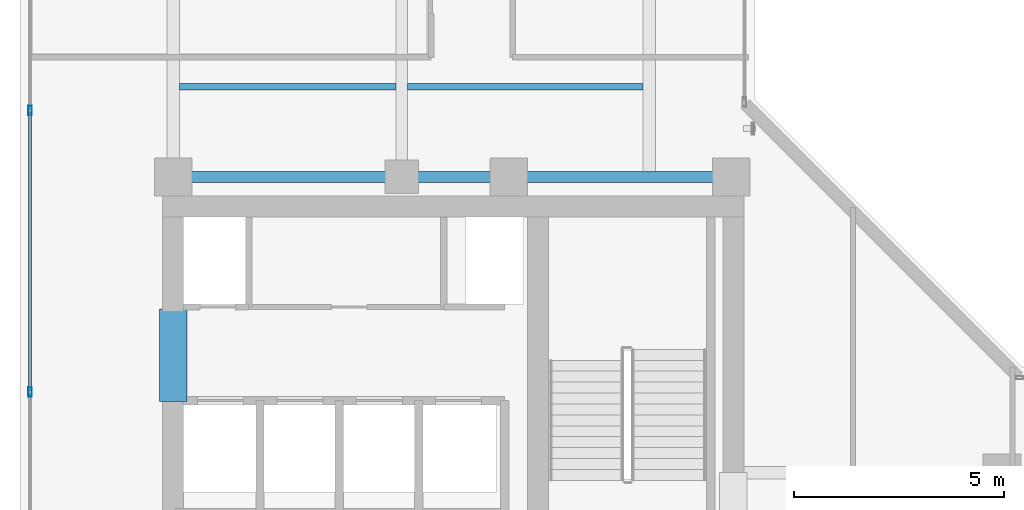
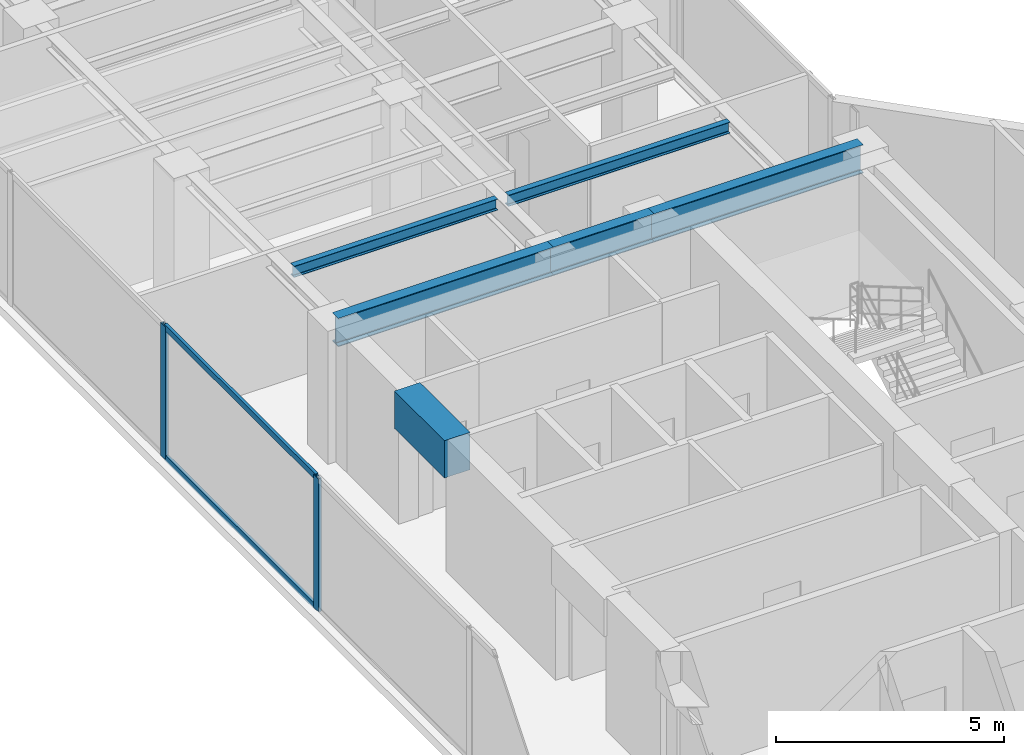
# One storey, part 7 of 23: 6 beams, 4 members, 1 element without a shape of its own.
"""IFC4 building model written with IfcOpenShell, lengths in metres."""

import ifcopenshell
import ifcopenshell.guid

model = None  # the IFC model being written
_history = None  # IfcOwnerHistory: only IFC2X3 demands one
_inside = {}  # id of a spatial element -> (the spatial element, [elements in it])
_under = {}  # id of a project, library or spatial element -> (it, [spatial elements below it])
_declared = {}  # id of a project -> (the project, [libraries it declares])
_typed = {}  # id of a type object -> (the type object, [elements of that type])
_made_of = {}  # id of a material, layer set ... -> (it, [elements and type objects made of it])


def new_model(schema):
    """Start an empty IFC model of exactly this schema.

    Asked for "IFC4X3", IfcOpenShell would pick the latest addendum, in which some entities
    have other attributes; the version numbers below select the first issue.
    IFC2X3 requires an IfcOwnerHistory on every rooted entity: one is made here for all.
    """
    global model, _history
    if schema == "IFC4X3":
        model = ifcopenshell.file(schema_version=(4, 3, 0, 0))
    else:
        model = ifcopenshell.file(schema=schema)
    _inside.clear()
    _under.clear()
    _declared.clear()
    _typed.clear()
    _made_of.clear()
    _history = None
    if model.schema == "IFC2X3":
        org = make("IfcOrganization", Name="unknown")
        user = make(
            "IfcPersonAndOrganization",
            ThePerson=make("IfcPerson", FamilyName="unknown"),
            TheOrganization=org,
        )
        app = make(
            "IfcApplication",
            ApplicationDeveloper=org,
            Version="unknown",
            ApplicationFullName="unknown",
            ApplicationIdentifier="unknown",
        )
        _history = make(
            "IfcOwnerHistory",
            OwningUser=user,
            OwningApplication=app,
            ChangeAction="ADDED",
            CreationDate=0,
        )
    return model


def make(cls, **values):
    """One entity of the class cls with the attributes given. An attribute that is None is left unset."""
    return model.create_entity(
        cls, **{name: value for name, value in values.items() if value is not None}
    )


def rooted(cls, **values):
    """An entity with a GlobalId (a new one), such as an element, a storey or a relation."""
    return make(cls, GlobalId=ifcopenshell.guid.new(), OwnerHistory=_history, **values)


def si_unit(unit_type, name, prefix=None):
    """IfcSIUnit, for example si_unit("LENGTHUNIT", "METRE", prefix="MILLI")."""
    return make("IfcSIUnit", UnitType=unit_type, Prefix=prefix, Name=name)


def assignment(units):
    """IfcUnitAssignment: the units of a project."""
    return None if units is None else make("IfcUnitAssignment", Units=units)


def point(xyz):
    """IfcCartesianPoint."""
    return None if xyz is None else make("IfcCartesianPoint", Coordinates=xyz)


def direction(xyz):
    """IfcDirection."""
    return None if xyz is None else make("IfcDirection", DirectionRatios=xyz)


def frame(location, z_axis=None, x_axis=None):
    """IfcAxis2Placement3D, a coordinate frame: its origin and axes. An axis left out is left unset."""
    return make(
        "IfcAxis2Placement3D",
        Location=point(location),
        Axis=direction(z_axis),
        RefDirection=direction(x_axis),
    )


def frame_2d(location, x_axis=None):
    """IfcAxis2Placement2D, a coordinate frame in the plane: its origin and x axis."""
    return make(
        "IfcAxis2Placement2D", Location=point(location), RefDirection=direction(x_axis)
    )


def origin():
    """The frame at (0, 0, 0) with its axes left unset."""
    return frame((0.0, 0.0, 0.0))


def origin_with_axes():
    """The frame at (0, 0, 0) with the z axis (0, 0, 1) and the x axis (1, 0, 0) written out."""
    return frame((0.0, 0.0, 0.0), z_axis=(0.0, 0.0, 1.0), x_axis=(1.0, 0.0, 0.0))


def origin_2d():
    """The frame at (0, 0) in the plane with its x axis left unset."""
    return frame_2d((0.0, 0.0))


def place(relative_to, where):
    """IfcLocalPlacement: puts the frame where relative to a parent placement (None: the world)."""
    return make(
        "IfcLocalPlacement", PlacementRelTo=relative_to, RelativePlacement=where
    )


def context(
    kind, dimensions, precision=None, world=None, true_north=None, identifier=None
):
    """IfcGeometricRepresentationContext, for example the 3D "Model" context."""
    return make(
        "IfcGeometricRepresentationContext",
        ContextIdentifier=identifier,
        ContextType=kind,
        CoordinateSpaceDimension=dimensions,
        Precision=precision,
        WorldCoordinateSystem=world,
        TrueNorth=true_north,
    )


def subcontext(parent, identifier, kind, view, scale=None):
    """IfcGeometricRepresentationSubContext, for example "Body" below "Model"."""
    return make(
        "IfcGeometricRepresentationSubContext",
        ContextIdentifier=identifier,
        ContextType=kind,
        ParentContext=parent,
        TargetScale=scale,
        TargetView=view,
    )


def project(units=None, contexts=None):
    """IfcProject with its units and contexts."""
    return rooted(
        "IfcProject",
        Name="project",
        RepresentationContexts=contexts,
        UnitsInContext=assignment(units),
    )


def spatial(cls, under=None, at=None, **own):
    """A site, building, storey or space (cls), placed at a placement, below another one or the project."""
    s = rooted(cls, ObjectPlacement=at, **own)
    if under is not None:
        _under.setdefault(under.id(), (under, []))[1].append(s)
    return s


def profile(cls, at=None, kind="AREA", **sizes):
    """A parametric profile (cls). Its sizes go by their IFC names, for example OverallWidth=200.0."""
    return make(cls, ProfileType=kind, Position=at, **sizes)


def rectangle(**sizes):
    """IfcRectangleProfileDef."""
    return profile("IfcRectangleProfileDef", **sizes)


def hollow_rectangle(**sizes):
    """IfcRectangleHollowProfileDef."""
    return profile("IfcRectangleHollowProfileDef", **sizes)


def i_section(**sizes):
    """IfcIShapeProfileDef."""
    return profile("IfcIShapeProfileDef", **sizes)


def extrude(swept, where, along, depth):
    """IfcExtrudedAreaSolid: the profile swept, set in the frame where, extruded along a direction by depth."""
    return make(
        "IfcExtrudedAreaSolid",
        SweptArea=swept,
        Position=where,
        ExtrudedDirection=direction(along),
        Depth=depth,
    )


def shape(context_of_items, identifier, shape_type, items):
    """IfcShapeRepresentation: the items that make up one representation, for example the "Body"."""
    return make(
        "IfcShapeRepresentation",
        ContextOfItems=context_of_items,
        RepresentationIdentifier=identifier,
        RepresentationType=shape_type,
        Items=items,
    )


def source(mapping_origin, context_of_items, identifier, shape_type, items):
    """IfcRepresentationMap: a shape defined once, which mapped items show again and again."""
    return make(
        "IfcRepresentationMap",
        MappingOrigin=mapping_origin,
        MappedRepresentation=shape(context_of_items, identifier, shape_type, items),
    )


def transform(
    local_origin,
    x_axis=None,
    y_axis=None,
    z_axis=None,
    scale=None,
    scale2=None,
    scale3=None,
    uniform=True,
):
    """IfcCartesianTransformationOperator3D, or its non-uniform kind. x_axis, y_axis, z_axis: its Axis1, 2, 3."""
    if uniform:
        return make(
            "IfcCartesianTransformationOperator3D",
            Axis1=direction(x_axis),
            Axis2=direction(y_axis),
            LocalOrigin=point(local_origin),
            Scale=scale,
            Axis3=direction(z_axis),
        )
    return make(
        "IfcCartesianTransformationOperator3DnonUniform",
        Axis1=direction(x_axis),
        Axis2=direction(y_axis),
        LocalOrigin=point(local_origin),
        Scale=scale,
        Axis3=direction(z_axis),
        Scale2=scale2,
        Scale3=scale3,
    )


def mapped(mapping_source, mapping_target):
    """IfcMappedItem: shows the shape of a source again, moved by a transform."""
    return make(
        "IfcMappedItem", MappingSource=mapping_source, MappingTarget=mapping_target
    )


def material(Name=None, Category=None):
    """IfcMaterial."""
    return make("IfcMaterial", Name=Name, Category=Category)


def layer(
    of_material, thickness, ventilated=None, Name=None, Category=None, Priority=None
):
    """IfcMaterialLayer: one layer of a wall or slab, of a material (None: an air gap)."""
    return make(
        "IfcMaterialLayer",
        Material=of_material,
        LayerThickness=thickness,
        IsVentilated=ventilated,
        Name=Name,
        Category=Category,
        Priority=Priority,
    )


def layer_set(layers, Name=None):
    """IfcMaterialLayerSet."""
    return make("IfcMaterialLayerSet", MaterialLayers=layers, LayerSetName=Name)


def material_profile(
    of_material, cross_section, Name=None, Category=None, Priority=None
):
    """IfcMaterialProfile: a cross section and its material."""
    return make(
        "IfcMaterialProfile",
        Name=Name,
        Material=of_material,
        Profile=cross_section,
        Priority=Priority,
        Category=Category,
    )


def profile_set(profiles, Name=None, composite=None):
    """IfcMaterialProfileSet."""
    return make(
        "IfcMaterialProfileSet",
        Name=Name,
        MaterialProfiles=profiles,
        CompositeProfile=composite,
    )


def made_of(thing, what):
    """Note that an element or type object is made of a material, layer set ...; save() writes the relation."""
    if what is not None:
        _made_of.setdefault(what.id(), (what, []))[1].append(thing)
    return thing


def type_object(cls, material=None, **own):
    """A type object (cls), such as IfcWallType, which elements share."""
    return made_of(rooted(cls, **own), material)


def element(
    cls,
    number,
    at=None,
    inside=None,
    cuts=None,
    type_object=None,
    material=None,
    context=None,
    identifier="Body",
    shape_type=None,
    held_by="IfcProductDefinitionShape",
    body=None,
    shapes=None,
    **own,
):
    """One element of the class cls, such as IfcWall. Its Tag is "e" and its number.

    at: its placement. inside: the storey or other place that contains it. cuts: it is an
    opening in that element (IfcRelVoidsElement). A single representation is given by context,
    identifier, shape_type and body (its items); several are given by shapes. held_by: the class
    of the entity that holds the representations. save() writes the other relations.
    """
    e = rooted(cls, Tag="e%d" % number, ObjectPlacement=at, **own)
    if body is not None:
        shapes = [shape(context, identifier, shape_type, body)]
    if shapes is not None:
        e.Representation = make(held_by, Representations=shapes)
    if inside is not None:
        _inside.setdefault(inside.id(), (inside, []))[1].append(e)
    if cuts is not None:
        rooted(
            "IfcRelVoidsElement", RelatingBuildingElement=cuts, RelatedOpeningElement=e
        )
    if type_object is not None:
        _typed.setdefault(type_object.id(), (type_object, []))[1].append(e)
    return made_of(e, material)


def aggregate(whole, parts):
    """IfcRelAggregates: a whole, such as a stair, and the parts it consists of."""
    return rooted("IfcRelAggregates", RelatingObject=whole, RelatedObjects=parts)


def save(model, path):
    """Write the relations noted so far, then the file.

    IfcRelAggregates (storeys below a building ...), IfcRelContainedInSpatialStructure (elements
    in a storey), IfcRelDefinesByType, IfcRelAssociatesMaterial and IfcRelDeclares: one each for
    every whole, place, type object, material and project.
    """
    for whole, parts in _under.values():
        aggregate(whole, parts)
    for where, things in _inside.values():
        rooted(
            "IfcRelContainedInSpatialStructure",
            RelatedElements=things,
            RelatingStructure=where,
        )
    for kind, things in _typed.values():
        rooted("IfcRelDefinesByType", RelatedObjects=things, RelatingType=kind)
    for what, things in _made_of.values():
        rooted("IfcRelAssociatesMaterial", RelatedObjects=things, RelatingMaterial=what)
    for by, libraries in _declared.values():
        rooted("IfcRelDeclares", RelatingContext=by, RelatedDefinitions=libraries)
    model.write(path)


model = new_model("IFC4")

# Units and contexts
model_context = context("Model", 3, precision=1e-05, world=origin(), true_north=direction((0.0, 1.0)))
body_context = subcontext(model_context, "Body", "Model", "MODEL_VIEW")
ifc_project = project(units=[si_unit("LENGTHUNIT", "METRE"), si_unit("AREAUNIT", "SQUARE_METRE"), si_unit("VOLUMEUNIT", "CUBIC_METRE"), si_unit("PLANEANGLEUNIT", "RADIAN"), si_unit("MASSUNIT", "GRAM", prefix="KILO")], contexts=[model_context])

# Site, building, storey
site_placement = place(None, origin())
site = spatial("IfcSite", under=ifc_project, at=site_placement, CompositionType="ELEMENT")
building_placement = place(site_placement, origin())
building = spatial("IfcBuilding", under=site, at=building_placement, Name="Kolvaren Waterfront Exchange", CompositionType="ELEMENT")
storey_placement = place(building_placement, frame((0.0, 0.0, 297.0)))
storey = spatial("IfcBuildingStorey", under=building, at=storey_placement, Name="L76", CompositionType="ELEMENT", Elevation=297.0)

# Beams
ifc_material_1 = material(Name="Steel S355", Category="steel")
ifc_material_profile_1 = material_profile(ifc_material_1, i_section(OverallWidth=0.14990234375, OverallDepth=0.300048828125, WebThickness=0.007080078125, FlangeThickness=0.0107421875, FilletRadius=0.014892578125, at=origin_2d()), Name="IPE300")
ifc_profile_set_1 = profile_set([ifc_material_profile_1], Name="Steel S355")
beam_type_1 = type_object("IfcBeamType", Name="STR-BM-IPE300", PredefinedType="JOIST", material=ifc_profile_set_1)
beam_1_placement = place(storey_placement, frame((7.60205078125, 26.60009765625, 3.409912109375), z_axis=(1.0, 0.0, 0.0), x_axis=(0.0, 1.0, 0.0)))
element("IfcBeam", 1, at=beam_1_placement, inside=storey, type_object=beam_type_1, Name="L76 north-arm composite joist 1A", PredefinedType="JOIST", context=body_context, shape_type="SweptSolid", body=[
    extrude(i_section(OverallWidth=0.14990234375, OverallDepth=0.300048828125, WebThickness=0.007080078125, FlangeThickness=0.0107421875, FilletRadius=0.014892578125, at=origin_2d()), origin(), (0.0, 0.0, 1.0), 5.162353515625),
])
beam_2_placement = place(storey_placement, frame((13.035400390625, 26.60009765625, 3.409912109375), z_axis=(1.0, 0.0, 0.0), x_axis=(0.0, 1.0, 0.0)))
element("IfcBeam", 2, at=beam_2_placement, inside=storey, type_object=beam_type_1, Name="L76 north-arm composite joist 1B", PredefinedType="JOIST", context=body_context, shape_type="SweptSolid", body=[
    extrude(i_section(OverallWidth=0.14990234375, OverallDepth=0.300048828125, WebThickness=0.007080078125, FlangeThickness=0.0107421875, FilletRadius=0.014892578125, at=origin_2d()), origin(), (0.0, 0.0, 1.0), 5.612548828125),
])
ifc_material_profile_2 = material_profile(ifc_material_1, i_section(OverallWidth=0.26708984375, OverallDepth=0.761962890625, WebThickness=0.014404296875, FlangeThickness=0.021484375, FilletRadius=0.01708984375, at=origin_2d()), Name="IPE750x173")
ifc_profile_set_2 = profile_set([ifc_material_profile_2], Name="Steel S355")
beam_type_2 = type_object("IfcBeamType", Name="STR-BM-IPE750", PredefinedType="BEAM", material=ifc_profile_set_2)
beam_3_placement = place(storey_placement, frame((7.449951171875, 24.449951171875, 3.178955078125), z_axis=(1.0, 0.0, 0.0), x_axis=(0.0, 1.0, 0.0)))
element("IfcBeam", 3, at=beam_3_placement, inside=storey, type_object=beam_type_2, Name="L76 north-arm girder 1A", PredefinedType="BEAM", context=body_context, shape_type="SweptSolid", body=[
    extrude(i_section(OverallWidth=0.26708984375, OverallDepth=0.761962890625, WebThickness=0.014404296875, FlangeThickness=0.021484375, FilletRadius=0.01708984375, at=origin_2d()), origin(), (0.0, 0.0, 1.0), 5.449951171875),
])
beam_4_placement = place(storey_placement, frame((12.89990234375, 24.449951171875, 3.178955078125), z_axis=(1.0, 0.0, 0.0), x_axis=(0.0, 1.0, 0.0)))
element("IfcBeam", 4, at=beam_4_placement, inside=storey, type_object=beam_type_2, Name="L76 north-arm girder 1B", PredefinedType="BEAM", context=body_context, shape_type="SweptSolid", body=[
    extrude(i_section(OverallWidth=0.26708984375, OverallDepth=0.761962890625, WebThickness=0.014404296875, FlangeThickness=0.021484375, FilletRadius=0.01708984375, at=origin_2d()), origin(), (0.0, 0.0, 1.0), 2.550048828125),
])
beam_5_placement = place(storey_placement, frame((15.449951171875, 24.449951171875, 3.178955078125), z_axis=(1.0, 0.0, 0.0), x_axis=(0.0, 1.0, 0.0)))
element("IfcBeam", 5, at=beam_5_placement, inside=storey, type_object=beam_type_2, Name="L76 north-arm girder 1C", PredefinedType="BEAM", context=body_context, shape_type="SweptSolid", body=[
    extrude(i_section(OverallWidth=0.26708984375, OverallDepth=0.761962890625, WebThickness=0.014404296875, FlangeThickness=0.021484375, FilletRadius=0.01708984375, at=origin_2d()), origin(), (0.0, 0.0, 1.0), 5.300048828125),
])
ifc_material_2 = material(Name="Concrete C60/75", Category="concrete")
ifc_material_profile_3 = material_profile(ifc_material_2, rectangle(XDim=0.64990234375, YDim=1.0, at=origin_2d()), Name="RC-CB-1000x650")
ifc_profile_set_3 = profile_set([ifc_material_profile_3], Name="Concrete C60/75")
beam_type_3 = type_object("IfcBeamType", Name="STR-CB-1000", PredefinedType="SPANDREL", material=ifc_profile_set_3)
beam_6_placement = place(storey_placement, frame((7.449951171875, 19.10009765625, 3.06005859375), z_axis=(0.0, 1.0, 0.0), x_axis=(-1.0, 0.0, 0.0)))
element("IfcBeam", 6, at=beam_6_placement, inside=storey, type_object=beam_type_3, Name="L76 core coupling beam 5", PredefinedType="SPANDREL", context=body_context, shape_type="SweptSolid", body=[
    extrude(rectangle(XDim=0.64990234375, YDim=1.0, at=origin_2d()), origin(), (0.0, 0.0, 1.0), 2.199951171875),
])

# Curtain wall, members
ifc_material_3 = material(Name="Anodised aluminium 6063-T6", Category="aluminium")
ifc_layer = layer(ifc_material_3, 0.219970703125, Name="Anodised aluminium 6063-T6")
ifc_layer_set = layer_set([ifc_layer], Name="Anodised aluminium 6063-T6")
curtain_wall_type = type_object("IfcCurtainWallType", Name="ARC-CW-SYS2", PredefinedType="USERDEFINED", material=ifc_layer_set)
curtain_wall_placement = place(storey_placement, origin())
curtain_wall = element("IfcCurtainWall", 7, at=curtain_wall_placement, inside=storey, type_object=curtain_wall_type, Name="L76 stick curtain wall CW2 (CW-L76-W)", ObjectType="STICK CURTAIN WALL", PredefinedType="USERDEFINED")
ifc_material_profile_4 = material_profile(ifc_material_3, hollow_rectangle(XDim=0.080078125, YDim=0.219970703125, WallThickness=0.0048828125, at=origin_2d()), Name="ALU-MUL-220x80x5")
ifc_profile_set_4 = profile_set([ifc_material_profile_4], Name="Anodised aluminium 6063-T6")
member_type_1 = type_object("IfcMemberType", Name="ARC-CWM-220", PredefinedType="MULLION", material=ifc_profile_set_4)
shared_shape_1 = source(origin_with_axes(), body_context, "Body", "SweptSolid", [
    extrude(hollow_rectangle(XDim=0.080078125, YDim=0.219970703125, WallThickness=0.0048828125, at=origin_2d()), origin(), (0.0, 0.0, 1.0), 3.56005859375),
])
member_1_placement = place(storey_placement, frame((4.0400390625, 19.32275390625, 0.0), z_axis=(0.0, 0.0, 1.0), x_axis=(-1.0, 0.0, 0.0)))
member_1 = element("IfcMember", 8, at=member_1_placement, type_object=member_type_1, Name="CW2 mullion 3", PredefinedType="MULLION", context=body_context, shape_type="MappedRepresentation", body=[
    mapped(shared_shape_1, transform((0.0, 0.0, 0.0), x_axis=(1.0, 0.0, 0.0), y_axis=(0.0, 1.0, 0.0), z_axis=(0.0, 0.0, 1.0), scale=1.0)),
])
member_2_placement = place(storey_placement, frame((4.0400390625, 26.0341796875, 0.0), z_axis=(0.0, 0.0, 1.0), x_axis=(-1.0, 0.0, 0.0)))
member_2 = element("IfcMember", 9, at=member_2_placement, type_object=member_type_1, Name="CW2 mullion 4", PredefinedType="MULLION", context=body_context, shape_type="MappedRepresentation", body=[
    mapped(shared_shape_1, transform((0.0, 0.0, 0.0), x_axis=(1.0, 0.0, 0.0), y_axis=(0.0, 1.0, 0.0), z_axis=(0.0, 0.0, 1.0), scale=1.0)),
])
ifc_material_profile_5 = material_profile(ifc_material_3, hollow_rectangle(XDim=0.074951171875, YDim=0.159912109375, WallThickness=0.00439453125, at=origin_2d()), Name="ALU-TRN-160x75x4.5")
ifc_profile_set_5 = profile_set([ifc_material_profile_5], Name="Anodised aluminium 6063-T6")
member_type_2 = type_object("IfcMemberType", Name="ARC-CWT-160", PredefinedType="USERDEFINED", material=ifc_profile_set_5)
shared_shape_2 = source(origin_with_axes(), body_context, "Body", "SweptSolid", [
    extrude(hollow_rectangle(XDim=0.074951171875, YDim=0.159912109375, WallThickness=0.00439453125, at=origin_2d()), origin(), (0.0, 0.0, 1.0), 6.63134765625),
])
member_3_placement = place(storey_placement, frame((4.0400390625, 19.36279296875, 0.03759765625), z_axis=(0.0, 1.0, 0.0), x_axis=(-1.0, 0.0, 0.0)))
member_3 = element("IfcMember", 10, at=member_3_placement, type_object=member_type_2, Name="CW2 transom 3.1", ObjectType="TRANSOM", PredefinedType="USERDEFINED", context=body_context, shape_type="MappedRepresentation", body=[
    mapped(shared_shape_2, transform((0.0, 0.0, 0.0), x_axis=(1.0, 0.0, 0.0), y_axis=(0.0, 1.0, 0.0), z_axis=(0.0, 0.0, 1.0), scale=1.0)),
])
member_4_placement = place(storey_placement, frame((4.0400390625, 19.36279296875, 3.5224609375), z_axis=(0.0, 1.0, 0.0), x_axis=(-1.0, 0.0, 0.0)))
member_4 = element("IfcMember", 11, at=member_4_placement, type_object=member_type_2, Name="CW2 transom 3.2", ObjectType="TRANSOM", PredefinedType="USERDEFINED", context=body_context, shape_type="MappedRepresentation", body=[
    mapped(shared_shape_2, transform((0.0, 0.0, 0.0), x_axis=(1.0, 0.0, 0.0), y_axis=(0.0, 1.0, 0.0), z_axis=(0.0, 0.0, 1.0), scale=1.0)),
])
aggregate(curtain_wall, [member_1, member_2, member_3, member_4])

save(model, "model.ifc")
